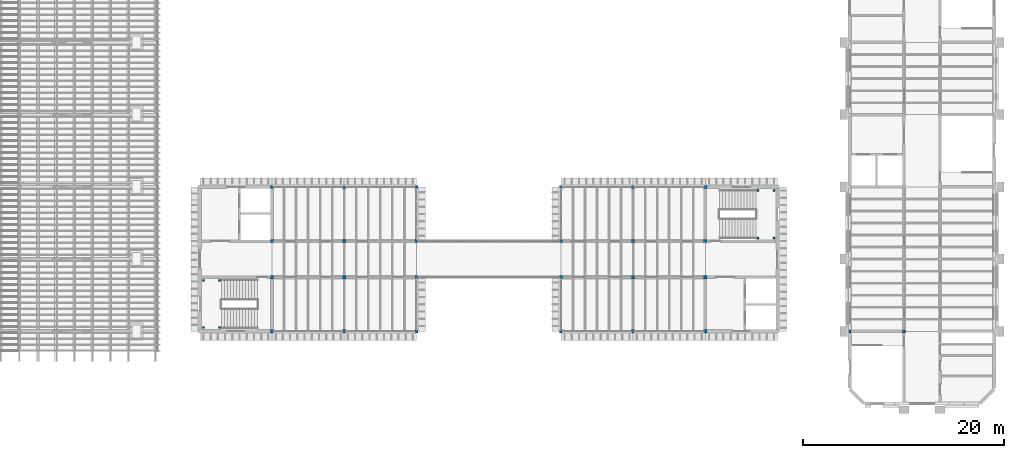
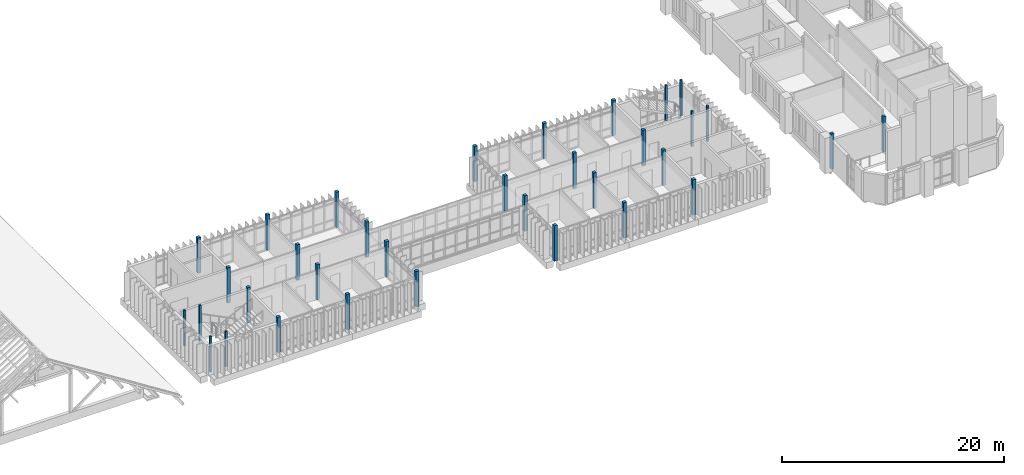
# One storey, part 2 of 71: 34 columns.
"""IFC4 building model written with IfcOpenShell, lengths in metres."""

from ifc_helpers import new_model, si_unit, direction, frame, origin, origin_2d, place, context, subcontext, project, spatial, rectangle, extrude, material, material_profile, profile_set, type_object, element, save


model = new_model("IFC4")

# Units and contexts
model_context = context("Model", 3, precision=1e-05, world=origin(), true_north=direction((0.0, 1.0)))
body_context = subcontext(model_context, "Body", "Model", "MODEL_VIEW")
ifc_project = project(units=[si_unit("LENGTHUNIT", "METRE"), si_unit("AREAUNIT", "SQUARE_METRE"), si_unit("VOLUMEUNIT", "CUBIC_METRE"), si_unit("PLANEANGLEUNIT", "RADIAN"), si_unit("MASSUNIT", "GRAM", prefix="KILO")], contexts=[model_context])

# Site, building, storey
site_placement = place(None, origin())
site = spatial("IfcSite", under=ifc_project, at=site_placement, CompositionType="ELEMENT")
building_placement = place(site_placement, origin())
building = spatial("IfcBuilding", under=site, at=building_placement, Name="Mazhai Court Health Centre", CompositionType="ELEMENT")
storey_placement = place(building_placement, frame((0.0, 0.0, 10.199951171875)))
storey = spatial("IfcBuildingStorey", under=building, at=storey_placement, Name="L02", CompositionType="ELEMENT", Elevation=10.199951171875)

# Columns
ifc_material_1 = material(Name="Glulam GL28h", Category="wood")
ifc_material_profile_1 = material_profile(ifc_material_1, rectangle(XDim=0.280029296875, YDim=0.280029296875, at=origin_2d()), Name="GL28h 280x280")
ifc_profile_set_1 = profile_set([ifc_material_profile_1], Name="Glulam GL28h")
column_type_1 = type_object("IfcColumnType", Name="GL28h 280x280 column", PredefinedType="COLUMN", material=ifc_profile_set_1)
for number, where, z_axis, x_axis, name in (
    (1, (135.800048828125, 13.39990234375, 0.0), (0.0, 0.0, 1.0), (1.0, 0.0, 0.0), "col-V6-L02-01-A"),
    (2, (141.199951171875, 13.39990234375, 0.0), (0.0, 0.0, 1.0), (1.0, 0.0, 0.0), "col-V6-L02-01-B"),
):
    element("IfcColumn", number, at=place(storey_placement, frame(where, z_axis=z_axis, x_axis=x_axis)), inside=storey, type_object=column_type_1, Name=name, PredefinedType="COLUMN", context=body_context, shape_type="SweptSolid", body=[
        extrude(rectangle(XDim=0.280029296875, YDim=0.280029296875, at=origin_2d()), origin(), (0.0, 0.0, 1.0), 3.900146484375),
    ])
ifc_material_2 = material(Name="Glulam GL28h", Category="wood")
ifc_material_profile_2 = material_profile(ifc_material_2, rectangle(XDim=0.320068359375, YDim=0.320068359375, at=origin_2d()), Name="GL28h 320x320")
ifc_profile_set_2 = profile_set([ifc_material_profile_2], Name="Glulam GL28h")
column_type_2 = type_object("IfcColumnType", Name="GL28h 320x320 column", PredefinedType="COLUMN", material=ifc_profile_set_2)
for number, where, z_axis, x_axis, name in (
    (3, (78.199951171875, 13.39990234375, 0.0), (0.0, 0.0, 1.0), (1.0, 0.0, 0.0), "col-V4-L02-01-A"),
    (4, (78.199951171875, 18.800048828125, 0.0), (0.0, 0.0, 1.0), (1.0, 0.0, 0.0), "col-V4-L02-01-B"),
    (5, (78.199951171875, 22.39990234375, 0.0), (0.0, 0.0, 1.0), (1.0, 0.0, 0.0), "col-V4-L02-01-C"),
    (6, (78.199951171875, 27.800048828125, 0.0), (0.0, 0.0, 1.0), (1.0, 0.0, 0.0), "col-V4-L02-01-D"),
    (7, (85.39990234375, 13.39990234375, 0.0), (0.0, 0.0, 1.0), (1.0, 0.0, 0.0), "col-V4-L02-02-A"),
    (8, (85.39990234375, 18.800048828125, 0.0), (0.0, 0.0, 1.0), (1.0, 0.0, 0.0), "col-V4-L02-02-B"),
    (9, (85.39990234375, 22.39990234375, 0.0), (0.0, 0.0, 1.0), (1.0, 0.0, 0.0), "col-V4-L02-02-C"),
    (10, (85.39990234375, 27.800048828125, 0.0), (0.0, 0.0, 1.0), (1.0, 0.0, 0.0), "col-V4-L02-02-D"),
    (11, (92.60009765625, 13.39990234375, 0.0), (0.0, 0.0, 1.0), (1.0, 0.0, 0.0), "col-V4-L02-03-A"),
    (12, (92.60009765625, 18.800048828125, 0.0), (0.0, 0.0, 1.0), (1.0, 0.0, 0.0), "col-V4-L02-03-B"),
    (13, (92.60009765625, 22.39990234375, 0.0), (0.0, 0.0, 1.0), (1.0, 0.0, 0.0), "col-V4-L02-03-C"),
    (14, (92.60009765625, 27.800048828125, 0.0), (0.0, 0.0, 1.0), (1.0, 0.0, 0.0), "col-V4-L02-03-D"),
    (15, (107.0, 13.39990234375, 0.0), (0.0, 0.0, 1.0), (1.0, 0.0, 0.0), "col-V4-L02-05-A"),
    (16, (107.0, 18.800048828125, 0.0), (0.0, 0.0, 1.0), (1.0, 0.0, 0.0), "col-V4-L02-05-B"),
    (17, (107.0, 22.39990234375, 0.0), (0.0, 0.0, 1.0), (1.0, 0.0, 0.0), "col-V4-L02-05-C"),
    (18, (107.0, 27.800048828125, 0.0), (0.0, 0.0, 1.0), (1.0, 0.0, 0.0), "col-V4-L02-05-D"),
    (19, (114.199951171875, 13.39990234375, 0.0), (0.0, 0.0, 1.0), (1.0, 0.0, 0.0), "col-V4-L02-06-A"),
    (20, (114.199951171875, 18.800048828125, 0.0), (0.0, 0.0, 1.0), (1.0, 0.0, 0.0), "col-V4-L02-06-B"),
    (21, (114.199951171875, 22.39990234375, 0.0), (0.0, 0.0, 1.0), (1.0, 0.0, 0.0), "col-V4-L02-06-C"),
    (22, (114.199951171875, 27.800048828125, 0.0), (0.0, 0.0, 1.0), (1.0, 0.0, 0.0), "col-V4-L02-06-D"),
    (23, (121.39990234375, 13.39990234375, 0.0), (0.0, 0.0, 1.0), (1.0, 0.0, 0.0), "col-V4-L02-07-A"),
    (24, (121.39990234375, 18.800048828125, 0.0), (0.0, 0.0, 1.0), (1.0, 0.0, 0.0), "col-V4-L02-07-B"),
    (25, (121.39990234375, 22.39990234375, 0.0), (0.0, 0.0, 1.0), (1.0, 0.0, 0.0), "col-V4-L02-07-C"),
    (26, (121.39990234375, 27.800048828125, 0.0), (0.0, 0.0, 1.0), (1.0, 0.0, 0.0), "col-V4-L02-07-D"),
):
    element("IfcColumn", number, at=place(storey_placement, frame(where, z_axis=z_axis, x_axis=x_axis)), inside=storey, type_object=column_type_2, Name=name, PredefinedType="COLUMN", context=body_context, shape_type="SweptSolid", body=[
        extrude(rectangle(XDim=0.320068359375, YDim=0.320068359375, at=origin_2d()), origin(), (0.0, 0.0, 1.0), 3.900146484375),
    ])
ifc_material_3 = material(Name="Concrete M40", Category="concrete")
ifc_material_profile_3 = material_profile(ifc_material_3, rectangle(XDim=0.199951171875, YDim=0.199951171875, at=origin_2d()), Name="RC 200x200")
ifc_profile_set_3 = profile_set([ifc_material_profile_3], Name="Concrete M40")
column_type_3 = type_object("IfcColumnType", Name="RC STAIR LANDING POST 200 M40", PredefinedType="COLUMN", material=ifc_profile_set_3)
for number, where, z_axis, x_axis, name in (
    (27, (71.3701171875, 13.760009765625, 0.0), (0.0, 0.0, 1.0), (1.0, 0.0, 0.0), "post-ST6-03"),
    (28, (71.3701171875, 18.47998046875, 0.0), (0.0, 0.0, 1.0), (1.0, 0.0, 0.0), "post-ST6-07"),
    (29, (72.969970703125, 13.760009765625, 0.0), (0.0, 0.0, 1.0), (1.0, 0.0, 0.0), "post-ST6-17"),
    (30, (72.969970703125, 18.47998046875, 0.0), (0.0, 0.0, 1.0), (1.0, 0.0, 0.0), "post-ST6-21"),
    (31, (128.239990234375, 22.719970703125, 0.0), (0.0, 0.0, 1.0), (1.0, 0.0, 0.0), "post-ST7-05"),
    (32, (128.239990234375, 27.43994140625, 0.0), (0.0, 0.0, 1.0), (1.0, 0.0, 0.0), "post-ST7-09"),
    (33, (126.639892578125, 22.719970703125, 0.0), (0.0, 0.0, 1.0), (1.0, 0.0, 0.0), "post-ST7-17"),
    (34, (126.639892578125, 27.43994140625, 0.0), (0.0, 0.0, 1.0), (1.0, 0.0, 0.0), "post-ST7-21"),
):
    element("IfcColumn", number, at=place(storey_placement, frame(where, z_axis=z_axis, x_axis=x_axis)), inside=storey, type_object=column_type_3, Name=name, PredefinedType="COLUMN", context=body_context, shape_type="SweptSolid", body=[
        extrude(rectangle(XDim=0.199951171875, YDim=0.199951171875, at=origin_2d()), origin(), (0.0, 0.0, 1.0), 3.900146484375),
    ])

save(model, "model.ifc")
